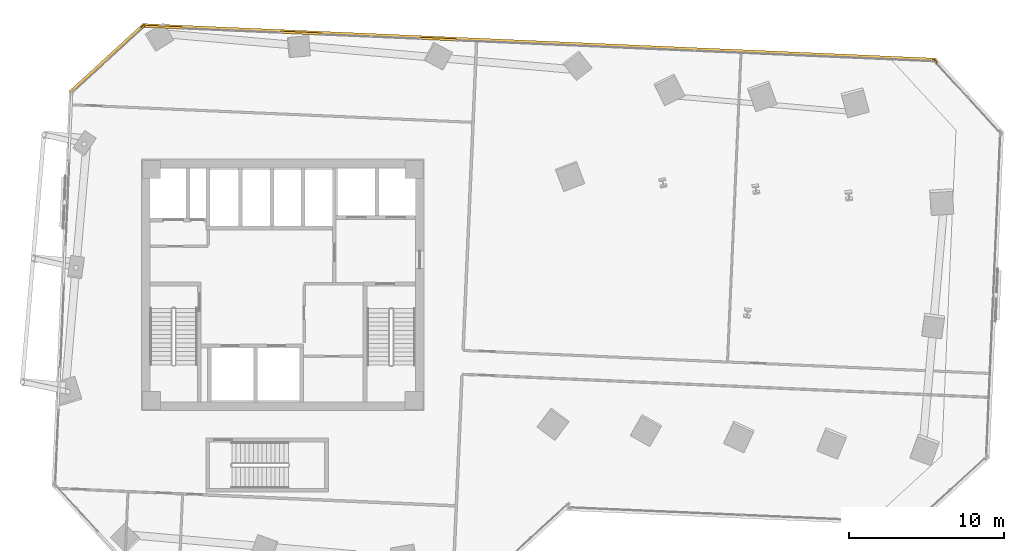
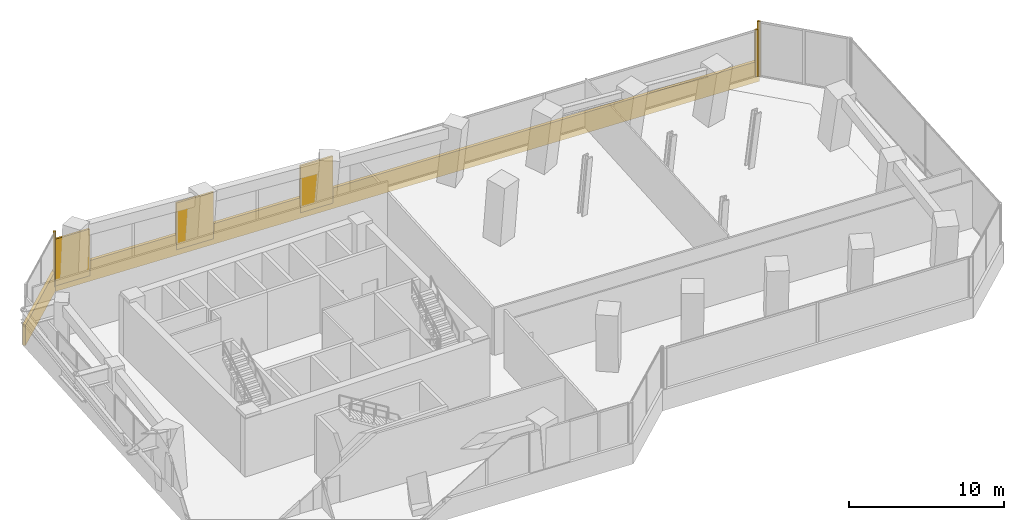
# One storey, part 26 of 26: 8 coverings.
"""IFC4 building model written with IfcOpenShell, lengths in metres."""

from ifc_helpers import new_model, si_unit, direction, frame, origin, origin_2d, place, context, subcontext, project, spatial, rectangle, extrude, source, transform, mapped, material, layer, layer_set, type_object, element, save


model = new_model("IFC4")

# Units and contexts
model_context = context("Model", 3, precision=1e-05, world=origin(), true_north=direction((0.0, 1.0)))
body_context = subcontext(model_context, "Body", "Model", "MODEL_VIEW")
ifc_project = project(units=[si_unit("LENGTHUNIT", "METRE"), si_unit("AREAUNIT", "SQUARE_METRE"), si_unit("VOLUMEUNIT", "CUBIC_METRE"), si_unit("PLANEANGLEUNIT", "RADIAN"), si_unit("MASSUNIT", "GRAM", prefix="KILO")], contexts=[model_context])

# Site, building, storey
site_placement = place(None, origin())
site = spatial("IfcSite", under=ifc_project, at=site_placement, CompositionType="ELEMENT")
building_placement = place(site_placement, origin())
building = spatial("IfcBuilding", under=site, at=building_placement, Name="Torre Montelarca", CompositionType="ELEMENT")
storey_placement = place(building_placement, frame((0.0, 0.0, 42.39990234375)))
storey = spatial("IfcBuildingStorey", under=building, at=storey_placement, Name="L09", CompositionType="ELEMENT", Elevation=42.39990234375)

# Coverings
ifc_material = material(Name="Bush-hammered warm white precast concrete C45/55", Category="concrete")
ifc_layer = layer(ifc_material, 0.139892578125, Name="Bush-hammered warm white precast concrete C45/55", Category="concrete")
ifc_layer_set = layer_set([ifc_layer], Name="Bush-hammered warm white precast concrete C45/55")
covering_type = type_object("IfcCoveringType", Name="COV-TRAY-CLAD", PredefinedType="CLADDING", material=ifc_layer_set)
shared_shape_1 = source(origin(), body_context, "Body", "SweptSolid", [
    extrude(rectangle(XDim=0.199951171875, YDim=0.139892578125, at=origin_2d()), origin(), (0.0, 0.0, 1.0), 4.320068359375),
])
for number, where, z_axis, x_axis, name in (
    (1, (60.08251953125, 46.38525390625, 0.0), (0.0, 0.0, 1.0), (-0.675586347231, 0.737280874182, 0.0), "L09 Architectural Column Pier Cladding E07-2"),
    (2, (8.99462890625, 48.61572265625, 0.0), (0.0, 0.0, 1.0), (-0.737272620283, -0.675595354766, 0.0), "L09 Architectural Column Pier Cladding E09-1"),
):
    element("IfcCovering", number, at=place(storey_placement, frame(where, z_axis=z_axis, x_axis=x_axis)), inside=storey, type_object=covering_type, Name=name, PredefinedType="CLADDING", context=body_context, shape_type="MappedRepresentation", body=[
        mapped(shared_shape_1, transform((0.0, 0.0, 0.0), scale=1.0)),
    ])
shared_shape_2 = source(origin(), body_context, "Body", "SweptSolid", [
    extrude(rectangle(XDim=6.48388671875, YDim=0.219970703125, at=origin_2d()), origin(), (0.0, 0.0, 1.0), 1.6201171875),
])
covering_1_placement = place(storey_placement, frame((6.693603515625, 46.58837890625, -0.449951171875), z_axis=(0.0, 0.0, 1.0), x_axis=(-0.737271441145, -0.675596641548, 0.0)))
element("IfcCovering", 3, at=covering_1_placement, inside=storey, type_object=covering_type, Name="L09 Architectural White Spandrel Tray Band TRYBOT-09", PredefinedType="CLADDING", context=body_context, shape_type="MappedRepresentation", body=[
    mapped(shared_shape_2, transform((0.0, 0.0, 0.0), scale=1.0)),
])
shared_shape_3 = source(origin(), body_context, "Body", "SweptSolid", [
    extrude(rectangle(XDim=51.219970703125, YDim=0.219970703125, at=origin_2d()), origin(), (0.0, 0.0, 1.0), 1.6201171875),
])
covering_2_placement = place(storey_placement, frame((34.543701171875, 47.615966796875, -0.449951171875), z_axis=(0.0, 0.0, 1.0), x_axis=(-0.99904814545, 0.043621131033, 0.0)))
element("IfcCovering", 4, at=covering_2_placement, inside=storey, type_object=covering_type, Name="L09 Architectural White Spandrel Tray Band TRYBOT-08", PredefinedType="CLADDING", context=body_context, shape_type="MappedRepresentation", body=[
    mapped(shared_shape_3, transform((0.0, 0.0, 0.0), scale=1.0)),
])
shared_shape_4 = source(origin(), body_context, "Body", "SweptSolid", [
    extrude(rectangle(XDim=0.199951171875, YDim=0.139892578125, at=origin_2d()), origin(), (0.0, 0.0, 1.0), 3.675048828125),
])
covering_3_placement = place(storey_placement, frame((59.950927734375, 46.446533203125, 0.0), z_axis=(0.0, 0.0, 1.0), x_axis=(-0.99904814545, 0.043621131033, 0.0)))
element("IfcCovering", 5, at=covering_3_placement, inside=storey, type_object=covering_type, Name="L09 Architectural Column Pier Cladding E08-1", PredefinedType="CLADDING", context=body_context, shape_type="MappedRepresentation", body=[
    mapped(shared_shape_4, transform((0.0, 0.0, 0.0), scale=1.0)),
])
shared_shape_5 = source(origin(), body_context, "Body", "SweptSolid", [
    extrude(rectangle(XDim=2.360107421875, YDim=0.139892578125, at=origin_2d()), origin(), (0.0, 0.0, 1.0), 3.675048828125),
])
covering_4_placement = place(storey_placement, frame((28.0263671875, 47.840576171875, 0.0), z_axis=(0.0, 0.0, 1.0), x_axis=(-0.99904814545, 0.043621131033, 0.0)))
element("IfcCovering", 6, at=covering_4_placement, inside=storey, type_object=covering_type, Name="L09 Architectural Column Pier Cladding E08-2", PredefinedType="CLADDING", context=body_context, shape_type="MappedRepresentation", body=[
    mapped(shared_shape_5, transform((0.0, 0.0, 0.0), scale=1.0)),
])
shared_shape_6 = source(origin(), body_context, "Body", "SweptSolid", [
    extrude(rectangle(XDim=2.69287109375, YDim=0.139892578125, at=origin_2d()), origin(), (0.0, 0.0, 1.0), 3.675048828125),
])
covering_5_placement = place(storey_placement, frame((19.203369140625, 48.2255859375, 0.0), z_axis=(0.0, 0.0, 1.0), x_axis=(-0.99904814545, 0.043621131033, 0.0)))
element("IfcCovering", 7, at=covering_5_placement, inside=storey, type_object=covering_type, Name="L09 Architectural Column Pier Cladding E08-3", PredefinedType="CLADDING", context=body_context, shape_type="MappedRepresentation", body=[
    mapped(shared_shape_6, transform((0.0, 0.0, 0.0), scale=1.0)),
])
shared_shape_7 = source(origin(), body_context, "Body", "SweptSolid", [
    extrude(rectangle(XDim=2.536865234375, YDim=0.139892578125, at=origin_2d()), origin(), (0.0, 0.0, 1.0), 3.675048828125),
])
covering_6_placement = place(storey_placement, frame((10.29833984375, 48.614501953125, 0.0), z_axis=(0.0, 0.0, 1.0), x_axis=(-0.99904814545, 0.043621131033, 0.0)))
element("IfcCovering", 8, at=covering_6_placement, inside=storey, type_object=covering_type, Name="L09 Architectural Column Pier Cladding E08-4", PredefinedType="CLADDING", context=body_context, shape_type="MappedRepresentation", body=[
    mapped(shared_shape_7, transform((0.0, 0.0, 0.0), scale=1.0)),
])

save(model, "model.ifc")
